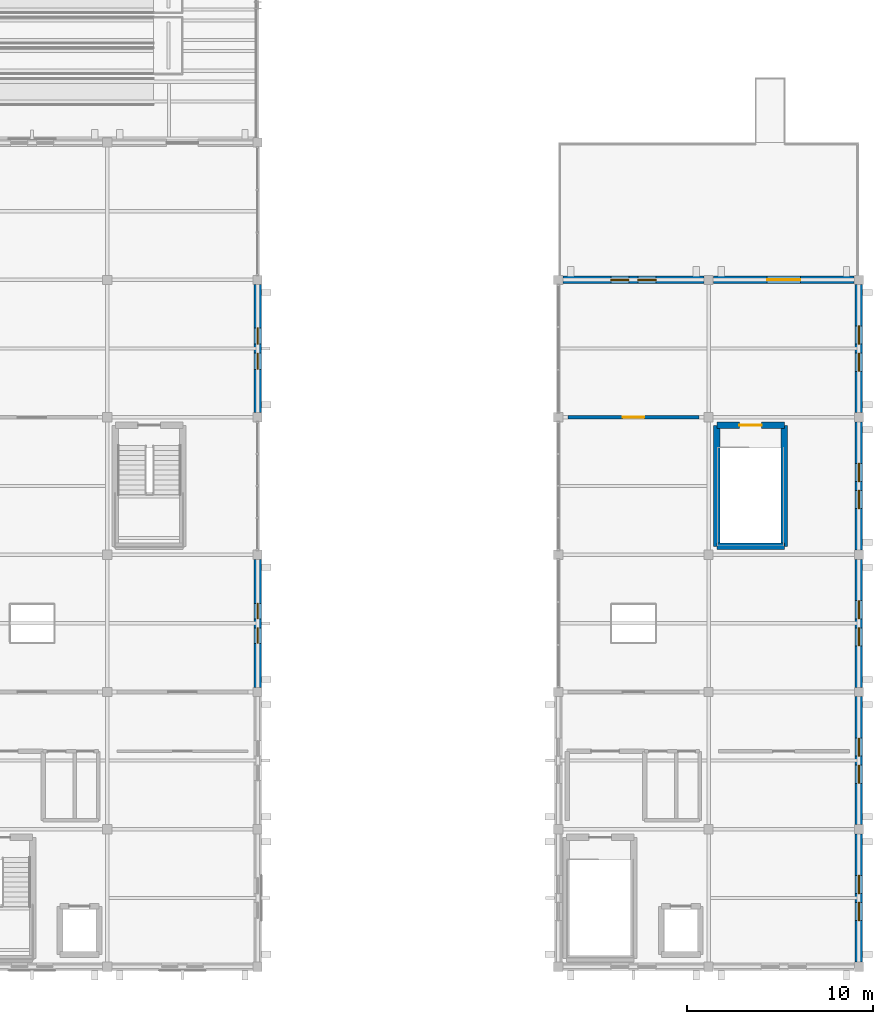
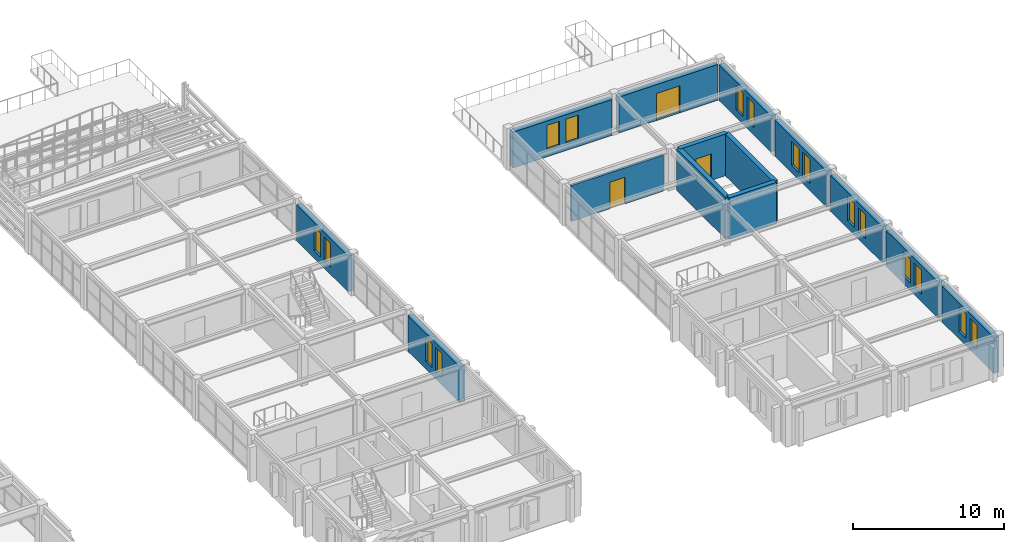
# One storey, part 85 of 93: 16 windows, 14 walls, 3 doors, 19 openings.
"""IFC4 building model written with IfcOpenShell, lengths in metres."""

from ifc_helpers import new_model, si_unit, direction, frame, frame_2d, origin, place, context, subcontext, project, spatial, rectangle, extrude, material, layer, layer_set, type_object, element, fill, save


model = new_model("IFC4")

# Units and contexts
model_context = context("Model", 3, precision=1e-05, world=origin(), true_north=direction((0.0, 1.0)))
body_context = subcontext(model_context, "Body", "Model", "MODEL_VIEW")
ifc_project = project(units=[si_unit("LENGTHUNIT", "METRE"), si_unit("AREAUNIT", "SQUARE_METRE"), si_unit("VOLUMEUNIT", "CUBIC_METRE"), si_unit("PLANEANGLEUNIT", "RADIAN"), si_unit("MASSUNIT", "GRAM", prefix="KILO")], contexts=[model_context])

# Site, building, storey
site_placement = place(None, origin())
site = spatial("IfcSite", under=ifc_project, at=site_placement, CompositionType="ELEMENT")
building_placement = place(site_placement, origin())
building = spatial("IfcBuilding", under=site, at=building_placement, Name="Cimatlan Art Gallery", CompositionType="ELEMENT")
storey_placement = place(building_placement, frame((0.0, 0.0, 13.800048828125)))
storey = spatial("IfcBuildingStorey", under=building, at=storey_placement, Name="L03", CompositionType="ELEMENT", Elevation=13.800048828125)

# Walls
ifc_material_1 = material(Name="Concrete C40/50", Category="concrete")
ifc_layer_1 = layer(ifc_material_1, 0.35009765625)
ifc_layer_set_1 = layer_set([ifc_layer_1], Name="Concrete C40/50")
wall_type_1 = type_object("IfcWallType", Name="W-CORE-350", PredefinedType="SHEAR", material=ifc_layer_set_1)
wall_1_placement = place(storey_placement, frame((156.340087890625, 46.5400390625, 0.0), z_axis=(0.0, 0.0, 1.0), x_axis=(0.0, 1.0, 0.0)))
element("IfcWall", 1, at=wall_1_placement, inside=storey, type_object=wall_type_1, Name="WL-CORE-C10-L03-SW", PredefinedType="SHEAR", context=body_context, shape_type="SweptSolid", body=[
    extrude(rectangle(XDim=6.52001953125, YDim=0.35009765625, at=frame_2d((3.260009765625, 0.0))), origin(), (0.0, 0.0, 1.0), 3.375),
])
wall_2_placement = place(storey_placement, frame((156.340087890625, 46.5400390625, 0.0), z_axis=(0.0, 0.0, 1.0), x_axis=(1.0, 0.0, 0.0)))
element("IfcWall", 2, at=wall_2_placement, inside=storey, type_object=wall_type_1, Name="WL-CORE-C10-L03-SS", PredefinedType="SHEAR", context=body_context, shape_type="SweptSolid", body=[
    extrude(rectangle(XDim=3.639892578125, YDim=0.35009765625, at=frame_2d((1.81982421875, 0.0))), origin(), (0.0, 0.0, 1.0), 3.375),
])
wall_3_placement = place(storey_placement, frame((159.97998046875, 46.5400390625, 0.0), z_axis=(0.0, 0.0, 1.0), x_axis=(0.0, 1.0, 0.0)))
element("IfcWall", 3, at=wall_3_placement, inside=storey, type_object=wall_type_1, Name="WL-CORE-C10-L03-SE", PredefinedType="SHEAR", context=body_context, shape_type="SweptSolid", body=[
    extrude(rectangle(XDim=6.52001953125, YDim=0.35009765625, at=frame_2d((3.260009765625, 0.0))), origin(), (0.0, 0.0, 1.0), 3.375),
])

# Wall, opening, door
wall_4_placement = place(storey_placement, frame((156.340087890625, 53.06005859375, 0.0), z_axis=(0.0, 0.0, 1.0), x_axis=(1.0, 0.0, 0.0)))
wall_4 = element("IfcWall", 4, at=wall_4_placement, inside=storey, type_object=wall_type_1, Name="WL-CORE-C10-L03-SN", PredefinedType="SHEAR", context=body_context, shape_type="SweptSolid", body=[
    extrude(rectangle(XDim=3.639892578125, YDim=0.35009765625, at=frame_2d((1.81982421875, 0.0))), origin(), (0.0, 0.0, 1.0), 3.375),
])
opening_1_placement = place(wall_4_placement, frame((1.219970703125, 0.0, 0.0)))
opening_1 = element("IfcOpeningElement", 5, at=opening_1_placement, cuts=wall_4, Name="Opening FD-C10-L03", PredefinedType="OPENING", context=body_context, shape_type="SweptSolid", body=[
    extrude(rectangle(XDim=1.199951171875, YDim=2.14990234375, at=frame_2d((0.60009765625, 1.074951171875))), frame((0.0, 0.18505859375, 0.0), z_axis=(0.0, -1.0, 0.0), x_axis=(1.0, 0.0, 0.0)), (0.0, 0.0, 1.0), 0.3701171875),
])
ifc_material_2 = material(Name="Fire-resisting steel acoustic stair door", Category="steel")
door_type_1 = type_object("IfcDoorType", Name="FD-ST-1200", OperationType="NOTDEFINED", PredefinedType="DOOR", material=ifc_material_2)
door_1_placement = place(opening_1_placement, origin())
door_1 = element("IfcDoor", 6, at=door_1_placement, inside=storey, type_object=door_type_1, Name="DR-C10-L03-ST", OperationType="SINGLE_SWING_RIGHT", OverallHeight=2.14990234375, OverallWidth=1.199951171875, PredefinedType="DOOR", context=body_context, shape_type="SweptSolid", body=[
    extrude(rectangle(XDim=1.199951171875, YDim=2.14990234375, at=frame_2d((0.60009765625, 1.074951171875))), frame((0.0, 0.02490234375, 0.0), z_axis=(0.0, -1.0, 0.0), x_axis=(1.0, 0.0, 0.0)), (0.0, 0.0, 1.0), 0.050048828125),
])
fill(opening_1, door_1)

ifc_material_3 = material(Name="Acoustic gypsum and steel stud partition", Category="steel")
ifc_layer_2 = layer(ifc_material_3, 0.179931640625)
ifc_layer_set_2 = layer_set([ifc_layer_2], Name="Acoustic gypsum and steel stud partition")
wall_type_2 = type_object("IfcWallType", Name="W-STD-180", PredefinedType="PARTITIONING", material=ifc_layer_set_2)
wall_5_placement = place(storey_placement, frame((148.320068359375, 53.5, 0.0), z_axis=(0.0, 0.0, 1.0), x_axis=(1.0, 0.0, 0.0)))
wall_5 = element("IfcWall", 7, at=wall_5_placement, inside=storey, type_object=wall_type_2, Name="WL-RM-L03-STD-03", PredefinedType="PARTITIONING", context=body_context, shape_type="SweptSolid", body=[
    extrude(rectangle(XDim=7.059814453125, YDim=0.179931640625, at=frame_2d((3.52978515625, 0.0))), origin(), (0.0, 0.0, 1.0), 2.912841796875),
])
opening_2_placement = place(wall_5_placement, frame((2.955078125, 0.0, 0.0)))
opening_2 = element("IfcOpeningElement", 8, at=opening_2_placement, cuts=wall_5, Name="Opening DI-0260", PredefinedType="OPENING", context=body_context, shape_type="SweptSolid", body=[
    extrude(rectangle(XDim=1.14990234375, YDim=2.14990234375, at=frame_2d((0.574951171875, 1.074951171875))), frame((0.0, 0.10009765625, 0.0), z_axis=(0.0, -1.0, 0.0), x_axis=(1.0, 0.0, 0.0)), (0.0, 0.0, 1.0), 0.199951171875),
])
ifc_material_4 = material(Name="Solid oak artists' studio door")
door_type_2 = type_object("IfcDoorType", Name="DI-SD-1150", OperationType="NOTDEFINED", PredefinedType="DOOR", material=ifc_material_4)
door_2_placement = place(opening_2_placement, origin())
door_2 = element("IfcDoor", 9, at=door_2_placement, inside=storey, type_object=door_type_2, Name="DR-RM-L03-STD-03", OperationType="SINGLE_SWING_RIGHT", OverallHeight=2.14990234375, OverallWidth=1.14990234375, PredefinedType="DOOR", context=body_context, shape_type="SweptSolid", body=[
    extrude(rectangle(XDim=1.14990234375, YDim=2.14990234375, at=frame_2d((0.574951171875, 1.074951171875))), frame((0.0, 0.02490234375, 0.0), z_axis=(0.0, -1.0, 0.0), x_axis=(1.0, 0.0, 0.0)), (0.0, 0.0, 1.0), 0.050048828125),
])
fill(opening_2, door_2)

# Wall, openings, windows
ifc_material_5 = material(Name="Precast concrete C40/50", Category="concrete")
ifc_layer_3 = layer(ifc_material_5, 0.39990234375)
ifc_layer_set_3 = layer_set([ifc_layer_3], Name="Precast concrete C40/50")
wall_type_3 = type_object("IfcWallType", Name="WL-EXT-CAN-400", PredefinedType="SOLIDWALL", material=ifc_layer_set_3)
wall_6_placement = place(storey_placement, frame((131.60009765625, 45.845947265625, 0.0), z_axis=(0.0, 0.0, 1.0), x_axis=(0.0, -1.0, 0.0)))
wall_6 = element("IfcWall", 10, at=wall_6_placement, inside=storey, type_object=wall_type_3, Name="WL-EXT-L03-15-05-E", PredefinedType="SOLIDWALL", context=body_context, shape_type="SweptSolid", body=[
    extrude(rectangle(XDim=6.891845703125, YDim=0.39990234375, at=frame_2d((3.44580078125, 0.0))), origin(), (0.0, 0.0, 1.0), 2.907958984375),
])
opening_3_placement = place(wall_6_placement, frame((2.365966796875, 0.0, 0.60009765625)))
opening_3 = element("IfcOpeningElement", 11, at=opening_3_placement, cuts=wall_6, Name="Opening WN-0277", PredefinedType="OPENING", context=body_context, shape_type="SweptSolid", body=[
    extrude(rectangle(XDim=0.840087890625, YDim=1.9599609375, at=frame_2d((0.419921875, 0.97998046875))), frame((0.0, 0.2099609375, 0.0), z_axis=(0.0, -1.0, 0.0), x_axis=(1.0, 0.0, 0.0)), (0.0, 0.0, 1.0), 0.419921875),
])
opening_4_placement = place(wall_6_placement, frame((3.68603515625, 0.0, 0.60009765625)))
opening_4 = element("IfcOpeningElement", 12, at=opening_4_placement, cuts=wall_6, Name="Opening WN-0278", PredefinedType="OPENING", context=body_context, shape_type="SweptSolid", body=[
    extrude(rectangle(XDim=0.840087890625, YDim=1.9599609375, at=frame_2d((0.419921875, 0.97998046875))), frame((0.0, 0.2099609375, 0.0), z_axis=(0.0, -1.0, 0.0), x_axis=(1.0, 0.0, 0.0)), (0.0, 0.0, 1.0), 0.419921875),
])
ifc_material_6 = material(Name="Low-E laminated double glazing in bronze lancet frame", Category="glass")
window_type_1 = type_object("IfcWindowType", Name="WIN-E-L03-0840X1960", PartitioningType="SINGLE_PANEL", PredefinedType="WINDOW", material=ifc_material_6)
window_1_placement = place(opening_3_placement, origin())
window_1 = element("IfcWindow", 13, at=window_1_placement, inside=storey, type_object=window_type_1, Name="WIN-0277", OverallHeight=1.9599609375, OverallWidth=0.840087890625, PartitioningType="SINGLE_PANEL", PredefinedType="WINDOW", context=body_context, shape_type="SweptSolid", body=[
    extrude(rectangle(XDim=0.840087890625, YDim=1.9599609375, at=frame_2d((0.419921875, 0.97998046875))), frame((0.0, 0.030029296875, 0.0), z_axis=(0.0, -1.0, 0.0), x_axis=(1.0, 0.0, 0.0)), (0.0, 0.0, 1.0), 0.06005859375),
])
fill(opening_3, window_1)
window_2_placement = place(opening_4_placement, origin())
window_2 = element("IfcWindow", 14, at=window_2_placement, inside=storey, type_object=window_type_1, Name="WIN-0278", OverallHeight=1.9599609375, OverallWidth=0.840087890625, PartitioningType="SINGLE_PANEL", PredefinedType="WINDOW", context=body_context, shape_type="SweptSolid", body=[
    extrude(rectangle(XDim=0.840087890625, YDim=1.9599609375, at=frame_2d((0.419921875, 0.97998046875))), frame((0.0, 0.030029296875, 0.0), z_axis=(0.0, -1.0, 0.0), x_axis=(1.0, 0.0, 0.0)), (0.0, 0.0, 1.0), 0.06005859375),
])
fill(opening_4, window_2)

wall_7_placement = place(storey_placement, frame((131.60009765625, 60.64599609375, 0.0), z_axis=(0.0, 0.0, 1.0), x_axis=(0.0, -1.0, 0.0)))
wall_7 = element("IfcWall", 15, at=wall_7_placement, inside=storey, type_object=wall_type_3, Name="WL-EXT-L03-15-07-E", PredefinedType="SOLIDWALL", context=body_context, shape_type="SweptSolid", body=[
    extrude(rectangle(XDim=6.89208984375, YDim=0.39990234375, at=frame_2d((3.446044921875, 0.0))), origin(), (0.0, 0.0, 1.0), 2.907958984375),
])
opening_5_placement = place(wall_7_placement, frame((2.325927734375, 0.0, 0.60009765625)))
opening_5 = element("IfcOpeningElement", 16, at=opening_5_placement, cuts=wall_7, Name="Opening WN-0279", PredefinedType="OPENING", context=body_context, shape_type="SweptSolid", body=[
    extrude(rectangle(XDim=0.8798828125, YDim=1.93994140625, at=frame_2d((0.43994140625, 0.969970703125))), frame((0.0, 0.2099609375, 0.0), z_axis=(0.0, -1.0, 0.0), x_axis=(1.0, 0.0, 0.0)), (0.0, 0.0, 1.0), 0.419921875),
])
opening_6_placement = place(wall_7_placement, frame((3.68603515625, 0.0, 0.60009765625)))
opening_6 = element("IfcOpeningElement", 17, at=opening_6_placement, cuts=wall_7, Name="Opening WN-0280", PredefinedType="OPENING", context=body_context, shape_type="SweptSolid", body=[
    extrude(rectangle(XDim=0.8798828125, YDim=1.93994140625, at=frame_2d((0.43994140625, 0.969970703125))), frame((0.0, 0.2099609375, 0.0), z_axis=(0.0, -1.0, 0.0), x_axis=(1.0, 0.0, 0.0)), (0.0, 0.0, 1.0), 0.419921875),
])
window_type_2 = type_object("IfcWindowType", Name="WIN-PAV-E3-0880X1940", PartitioningType="SINGLE_PANEL", PredefinedType="WINDOW", material=ifc_material_6)
window_3_placement = place(opening_5_placement, origin())
window_3 = element("IfcWindow", 18, at=window_3_placement, inside=storey, type_object=window_type_2, Name="WIN-0279", OverallHeight=1.93994140625, OverallWidth=0.8798828125, PartitioningType="SINGLE_PANEL", PredefinedType="WINDOW", context=body_context, shape_type="SweptSolid", body=[
    extrude(rectangle(XDim=0.8798828125, YDim=1.93994140625, at=frame_2d((0.43994140625, 0.969970703125))), frame((0.0, 0.030029296875, 0.0), z_axis=(0.0, -1.0, 0.0), x_axis=(1.0, 0.0, 0.0)), (0.0, 0.0, 1.0), 0.06005859375),
])
fill(opening_5, window_3)
window_4_placement = place(opening_6_placement, origin())
window_4 = element("IfcWindow", 19, at=window_4_placement, inside=storey, type_object=window_type_2, Name="WIN-0280", OverallHeight=1.93994140625, OverallWidth=0.8798828125, PartitioningType="SINGLE_PANEL", PredefinedType="WINDOW", context=body_context, shape_type="SweptSolid", body=[
    extrude(rectangle(XDim=0.8798828125, YDim=1.93994140625, at=frame_2d((0.43994140625, 0.969970703125))), frame((0.0, 0.030029296875, 0.0), z_axis=(0.0, -1.0, 0.0), x_axis=(1.0, 0.0, 0.0)), (0.0, 0.0, 1.0), 0.06005859375),
])
fill(opening_6, window_4)

wall_8_placement = place(storey_placement, frame((148.053955078125, 60.89990234375, 0.0), z_axis=(0.0, 0.0, 1.0), x_axis=(1.0, 0.0, 0.0)))
wall_8 = element("IfcWall", 20, at=wall_8_placement, inside=storey, type_object=wall_type_3, Name="WL-EXT-L03-18-07-N", PredefinedType="SOLIDWALL", context=body_context, shape_type="SweptSolid", body=[
    extrude(rectangle(XDim=7.592041015625, YDim=0.39990234375, at=frame_2d((3.7958984375, 0.0))), origin(), (0.0, 0.0, 1.0), 2.907958984375),
])
opening_7_placement = place(wall_8_placement, frame((2.575927734375, 0.0, 0.60009765625)))
opening_7 = element("IfcOpeningElement", 21, at=opening_7_placement, cuts=wall_8, Name="Opening WN-0287", PredefinedType="OPENING", context=body_context, shape_type="SweptSolid", body=[
    extrude(rectangle(XDim=0.97998046875, YDim=1.949951171875, at=frame_2d((0.489990234375, 0.97509765625))), frame((0.0, 0.2099609375, 0.0), z_axis=(0.0, -1.0, 0.0), x_axis=(1.0, 0.0, 0.0)), (0.0, 0.0, 1.0), 0.419921875),
])
opening_8_placement = place(wall_8_placement, frame((4.035888671875, 0.0, 0.60009765625)))
opening_8 = element("IfcOpeningElement", 22, at=opening_8_placement, cuts=wall_8, Name="Opening WN-0288", PredefinedType="OPENING", context=body_context, shape_type="SweptSolid", body=[
    extrude(rectangle(XDim=0.97998046875, YDim=1.949951171875, at=frame_2d((0.489990234375, 0.97509765625))), frame((0.0, 0.2099609375, 0.0), z_axis=(0.0, -1.0, 0.0), x_axis=(1.0, 0.0, 0.0)), (0.0, 0.0, 1.0), 0.419921875),
])
window_type_3 = type_object("IfcWindowType", Name="WIN-STD-L03-0980X1950", PartitioningType="SINGLE_PANEL", PredefinedType="WINDOW", material=ifc_material_6)
window_5_placement = place(opening_7_placement, origin())
window_5 = element("IfcWindow", 23, at=window_5_placement, inside=storey, type_object=window_type_3, Name="WIN-0287", OverallHeight=1.949951171875, OverallWidth=0.97998046875, PartitioningType="SINGLE_PANEL", PredefinedType="WINDOW", context=body_context, shape_type="SweptSolid", body=[
    extrude(rectangle(XDim=0.97998046875, YDim=1.949951171875, at=frame_2d((0.489990234375, 0.97509765625))), frame((0.0, 0.030029296875, 0.0), z_axis=(0.0, -1.0, 0.0), x_axis=(1.0, 0.0, 0.0)), (0.0, 0.0, 1.0), 0.06005859375),
])
fill(opening_7, window_5)
window_6_placement = place(opening_8_placement, origin())
window_6 = element("IfcWindow", 24, at=window_6_placement, inside=storey, type_object=window_type_3, Name="WIN-0288", OverallHeight=1.949951171875, OverallWidth=0.97998046875, PartitioningType="SINGLE_PANEL", PredefinedType="WINDOW", context=body_context, shape_type="SweptSolid", body=[
    extrude(rectangle(XDim=0.97998046875, YDim=1.949951171875, at=frame_2d((0.489990234375, 0.97509765625))), frame((0.0, 0.030029296875, 0.0), z_axis=(0.0, -1.0, 0.0), x_axis=(1.0, 0.0, 0.0)), (0.0, 0.0, 1.0), 0.06005859375),
])
fill(opening_8, window_6)

wall_9_placement = place(storey_placement, frame((164.0, 31.0458984375, 0.0), z_axis=(0.0, 0.0, 1.0), x_axis=(0.0, -1.0, 0.0)))
wall_9 = element("IfcWall", 25, at=wall_9_placement, inside=storey, type_object=wall_type_3, Name="WL-EXT-L03-19-03-E", PredefinedType="SOLIDWALL", context=body_context, shape_type="SweptSolid", body=[
    extrude(rectangle(XDim=6.891845703125, YDim=0.39990234375, at=frame_2d((3.44580078125, 0.0))), origin(), (0.0, 0.0, 1.0), 2.907958984375),
])
opening_9_placement = place(wall_9_placement, frame((2.22607421875, 0.0, 0.60009765625)))
opening_9 = element("IfcOpeningElement", 26, at=opening_9_placement, cuts=wall_9, Name="Opening WN-0291", PredefinedType="OPENING", context=body_context, shape_type="SweptSolid", body=[
    extrude(rectangle(XDim=0.97998046875, YDim=1.949951171875, at=frame_2d((0.489990234375, 0.97509765625))), frame((0.0, 0.2099609375, 0.0), z_axis=(0.0, -1.0, 0.0), x_axis=(1.0, 0.0, 0.0)), (0.0, 0.0, 1.0), 0.419921875),
])
opening_10_placement = place(wall_9_placement, frame((3.68603515625, 0.0, 0.60009765625)))
opening_10 = element("IfcOpeningElement", 27, at=opening_10_placement, cuts=wall_9, Name="Opening WN-0292", PredefinedType="OPENING", context=body_context, shape_type="SweptSolid", body=[
    extrude(rectangle(XDim=0.97998046875, YDim=1.949951171875, at=frame_2d((0.489990234375, 0.97509765625))), frame((0.0, 0.2099609375, 0.0), z_axis=(0.0, -1.0, 0.0), x_axis=(1.0, 0.0, 0.0)), (0.0, 0.0, 1.0), 0.419921875),
])
window_7_placement = place(opening_9_placement, origin())
window_7 = element("IfcWindow", 28, at=window_7_placement, inside=storey, type_object=window_type_3, Name="WIN-0291", OverallHeight=1.949951171875, OverallWidth=0.97998046875, PartitioningType="SINGLE_PANEL", PredefinedType="WINDOW", context=body_context, shape_type="SweptSolid", body=[
    extrude(rectangle(XDim=0.97998046875, YDim=1.949951171875, at=frame_2d((0.489990234375, 0.97509765625))), frame((0.0, 0.030029296875, 0.0), z_axis=(0.0, -1.0, 0.0), x_axis=(1.0, 0.0, 0.0)), (0.0, 0.0, 1.0), 0.06005859375),
])
fill(opening_9, window_7)
window_8_placement = place(opening_10_placement, origin())
window_8 = element("IfcWindow", 29, at=window_8_placement, inside=storey, type_object=window_type_3, Name="WIN-0292", OverallHeight=1.949951171875, OverallWidth=0.97998046875, PartitioningType="SINGLE_PANEL", PredefinedType="WINDOW", context=body_context, shape_type="SweptSolid", body=[
    extrude(rectangle(XDim=0.97998046875, YDim=1.949951171875, at=frame_2d((0.489990234375, 0.97509765625))), frame((0.0, 0.030029296875, 0.0), z_axis=(0.0, -1.0, 0.0), x_axis=(1.0, 0.0, 0.0)), (0.0, 0.0, 1.0), 0.06005859375),
])
fill(opening_10, window_8)

wall_10_placement = place(storey_placement, frame((164.0, 38.446044921875, 0.0), z_axis=(0.0, 0.0, 1.0), x_axis=(0.0, -1.0, 0.0)))
wall_10 = element("IfcWall", 30, at=wall_10_placement, inside=storey, type_object=wall_type_3, Name="WL-EXT-L03-19-04-E", PredefinedType="SOLIDWALL", context=body_context, shape_type="SweptSolid", body=[
    extrude(rectangle(XDim=6.89208984375, YDim=0.39990234375, at=frame_2d((3.446044921875, 0.0))), origin(), (0.0, 0.0, 1.0), 2.907958984375),
])
opening_11_placement = place(wall_10_placement, frame((2.22607421875, 0.0, 0.60009765625)))
opening_11 = element("IfcOpeningElement", 31, at=opening_11_placement, cuts=wall_10, Name="Opening WN-0293", PredefinedType="OPENING", context=body_context, shape_type="SweptSolid", body=[
    extrude(rectangle(XDim=0.97998046875, YDim=1.949951171875, at=frame_2d((0.489990234375, 0.97509765625))), frame((0.0, 0.2099609375, 0.0), z_axis=(0.0, -1.0, 0.0), x_axis=(1.0, 0.0, 0.0)), (0.0, 0.0, 1.0), 0.419921875),
])
opening_12_placement = place(wall_10_placement, frame((3.68603515625, 0.0, 0.60009765625)))
opening_12 = element("IfcOpeningElement", 32, at=opening_12_placement, cuts=wall_10, Name="Opening WN-0294", PredefinedType="OPENING", context=body_context, shape_type="SweptSolid", body=[
    extrude(rectangle(XDim=0.97998046875, YDim=1.949951171875, at=frame_2d((0.489990234375, 0.97509765625))), frame((0.0, 0.2099609375, 0.0), z_axis=(0.0, -1.0, 0.0), x_axis=(1.0, 0.0, 0.0)), (0.0, 0.0, 1.0), 0.419921875),
])
window_9_placement = place(opening_11_placement, origin())
window_9 = element("IfcWindow", 33, at=window_9_placement, inside=storey, type_object=window_type_3, Name="WIN-0293", OverallHeight=1.949951171875, OverallWidth=0.97998046875, PartitioningType="SINGLE_PANEL", PredefinedType="WINDOW", context=body_context, shape_type="SweptSolid", body=[
    extrude(rectangle(XDim=0.97998046875, YDim=1.949951171875, at=frame_2d((0.489990234375, 0.97509765625))), frame((0.0, 0.030029296875, 0.0), z_axis=(0.0, -1.0, 0.0), x_axis=(1.0, 0.0, 0.0)), (0.0, 0.0, 1.0), 0.06005859375),
])
fill(opening_11, window_9)
window_10_placement = place(opening_12_placement, origin())
window_10 = element("IfcWindow", 34, at=window_10_placement, inside=storey, type_object=window_type_3, Name="WIN-0294", OverallHeight=1.949951171875, OverallWidth=0.97998046875, PartitioningType="SINGLE_PANEL", PredefinedType="WINDOW", context=body_context, shape_type="SweptSolid", body=[
    extrude(rectangle(XDim=0.97998046875, YDim=1.949951171875, at=frame_2d((0.489990234375, 0.97509765625))), frame((0.0, 0.030029296875, 0.0), z_axis=(0.0, -1.0, 0.0), x_axis=(1.0, 0.0, 0.0)), (0.0, 0.0, 1.0), 0.06005859375),
])
fill(opening_12, window_10)

wall_11_placement = place(storey_placement, frame((164.0, 45.845947265625, 0.0), z_axis=(0.0, 0.0, 1.0), x_axis=(0.0, -1.0, 0.0)))
wall_11 = element("IfcWall", 35, at=wall_11_placement, inside=storey, type_object=wall_type_3, Name="WL-EXT-L03-19-05-E", PredefinedType="SOLIDWALL", context=body_context, shape_type="SweptSolid", body=[
    extrude(rectangle(XDim=6.891845703125, YDim=0.39990234375, at=frame_2d((3.44580078125, 0.0))), origin(), (0.0, 0.0, 1.0), 2.907958984375),
])
opening_13_placement = place(wall_11_placement, frame((2.22607421875, 0.0, 0.60009765625)))
opening_13 = element("IfcOpeningElement", 36, at=opening_13_placement, cuts=wall_11, Name="Opening WN-0295", PredefinedType="OPENING", context=body_context, shape_type="SweptSolid", body=[
    extrude(rectangle(XDim=0.97998046875, YDim=1.949951171875, at=frame_2d((0.489990234375, 0.97509765625))), frame((0.0, 0.2099609375, 0.0), z_axis=(0.0, -1.0, 0.0), x_axis=(1.0, 0.0, 0.0)), (0.0, 0.0, 1.0), 0.419921875),
])
opening_14_placement = place(wall_11_placement, frame((3.68603515625, 0.0, 0.60009765625)))
opening_14 = element("IfcOpeningElement", 37, at=opening_14_placement, cuts=wall_11, Name="Opening WN-0296", PredefinedType="OPENING", context=body_context, shape_type="SweptSolid", body=[
    extrude(rectangle(XDim=0.97998046875, YDim=1.949951171875, at=frame_2d((0.489990234375, 0.97509765625))), frame((0.0, 0.2099609375, 0.0), z_axis=(0.0, -1.0, 0.0), x_axis=(1.0, 0.0, 0.0)), (0.0, 0.0, 1.0), 0.419921875),
])
window_11_placement = place(opening_13_placement, origin())
window_11 = element("IfcWindow", 38, at=window_11_placement, inside=storey, type_object=window_type_3, Name="WIN-0295", OverallHeight=1.949951171875, OverallWidth=0.97998046875, PartitioningType="SINGLE_PANEL", PredefinedType="WINDOW", context=body_context, shape_type="SweptSolid", body=[
    extrude(rectangle(XDim=0.97998046875, YDim=1.949951171875, at=frame_2d((0.489990234375, 0.97509765625))), frame((0.0, 0.030029296875, 0.0), z_axis=(0.0, -1.0, 0.0), x_axis=(1.0, 0.0, 0.0)), (0.0, 0.0, 1.0), 0.06005859375),
])
fill(opening_13, window_11)
window_12_placement = place(opening_14_placement, origin())
window_12 = element("IfcWindow", 39, at=window_12_placement, inside=storey, type_object=window_type_3, Name="WIN-0296", OverallHeight=1.949951171875, OverallWidth=0.97998046875, PartitioningType="SINGLE_PANEL", PredefinedType="WINDOW", context=body_context, shape_type="SweptSolid", body=[
    extrude(rectangle(XDim=0.97998046875, YDim=1.949951171875, at=frame_2d((0.489990234375, 0.97509765625))), frame((0.0, 0.030029296875, 0.0), z_axis=(0.0, -1.0, 0.0), x_axis=(1.0, 0.0, 0.0)), (0.0, 0.0, 1.0), 0.06005859375),
])
fill(opening_14, window_12)

wall_12_placement = place(storey_placement, frame((164.0, 53.24609375, 0.0), z_axis=(0.0, 0.0, 1.0), x_axis=(0.0, -1.0, 0.0)))
wall_12 = element("IfcWall", 40, at=wall_12_placement, inside=storey, type_object=wall_type_3, Name="WL-EXT-L03-19-06-E", PredefinedType="SOLIDWALL", context=body_context, shape_type="SweptSolid", body=[
    extrude(rectangle(XDim=6.89208984375, YDim=0.39990234375, at=frame_2d((3.446044921875, 0.0))), origin(), (0.0, 0.0, 1.0), 2.907958984375),
])
opening_15_placement = place(wall_12_placement, frame((2.22607421875, 0.0, 0.60009765625)))
opening_15 = element("IfcOpeningElement", 41, at=opening_15_placement, cuts=wall_12, Name="Opening WN-0297", PredefinedType="OPENING", context=body_context, shape_type="SweptSolid", body=[
    extrude(rectangle(XDim=0.97998046875, YDim=1.949951171875, at=frame_2d((0.489990234375, 0.97509765625))), frame((0.0, 0.2099609375, 0.0), z_axis=(0.0, -1.0, 0.0), x_axis=(1.0, 0.0, 0.0)), (0.0, 0.0, 1.0), 0.419921875),
])
opening_16_placement = place(wall_12_placement, frame((3.68603515625, 0.0, 0.60009765625)))
opening_16 = element("IfcOpeningElement", 42, at=opening_16_placement, cuts=wall_12, Name="Opening WN-0298", PredefinedType="OPENING", context=body_context, shape_type="SweptSolid", body=[
    extrude(rectangle(XDim=0.97998046875, YDim=1.949951171875, at=frame_2d((0.489990234375, 0.97509765625))), frame((0.0, 0.2099609375, 0.0), z_axis=(0.0, -1.0, 0.0), x_axis=(1.0, 0.0, 0.0)), (0.0, 0.0, 1.0), 0.419921875),
])
window_13_placement = place(opening_15_placement, origin())
window_13 = element("IfcWindow", 43, at=window_13_placement, inside=storey, type_object=window_type_3, Name="WIN-0297", OverallHeight=1.949951171875, OverallWidth=0.97998046875, PartitioningType="SINGLE_PANEL", PredefinedType="WINDOW", context=body_context, shape_type="SweptSolid", body=[
    extrude(rectangle(XDim=0.97998046875, YDim=1.949951171875, at=frame_2d((0.489990234375, 0.97509765625))), frame((0.0, 0.030029296875, 0.0), z_axis=(0.0, -1.0, 0.0), x_axis=(1.0, 0.0, 0.0)), (0.0, 0.0, 1.0), 0.06005859375),
])
fill(opening_15, window_13)
window_14_placement = place(opening_16_placement, origin())
window_14 = element("IfcWindow", 44, at=window_14_placement, inside=storey, type_object=window_type_3, Name="WIN-0298", OverallHeight=1.949951171875, OverallWidth=0.97998046875, PartitioningType="SINGLE_PANEL", PredefinedType="WINDOW", context=body_context, shape_type="SweptSolid", body=[
    extrude(rectangle(XDim=0.97998046875, YDim=1.949951171875, at=frame_2d((0.489990234375, 0.97509765625))), frame((0.0, 0.030029296875, 0.0), z_axis=(0.0, -1.0, 0.0), x_axis=(1.0, 0.0, 0.0)), (0.0, 0.0, 1.0), 0.06005859375),
])
fill(opening_16, window_14)

# Wall, opening, door
wall_13_placement = place(storey_placement, frame((156.154052734375, 60.89990234375, 0.0), z_axis=(0.0, 0.0, 1.0), x_axis=(1.0, 0.0, 0.0)))
wall_13 = element("IfcWall", 45, at=wall_13_placement, inside=storey, type_object=wall_type_3, Name="WL-EXT-L03-19-07-N", PredefinedType="SOLIDWALL", context=body_context, shape_type="SweptSolid", body=[
    extrude(rectangle(XDim=7.592041015625, YDim=0.39990234375, at=frame_2d((3.7958984375, 0.0))), origin(), (0.0, 0.0, 1.0), 2.907958984375),
])
opening_17_placement = place(wall_13_placement, frame((2.89599609375, 0.0, 0.0)))
opening_17 = element("IfcOpeningElement", 46, at=opening_17_placement, cuts=wall_13, Name="Opening D-L03-T15", PredefinedType="OPENING", context=body_context, shape_type="SweptSolid", body=[
    extrude(rectangle(XDim=1.800048828125, YDim=2.199951171875, at=frame_2d((0.89990234375, 1.10009765625))), frame((0.0, 0.2099609375, 0.0), z_axis=(0.0, -1.0, 0.0), x_axis=(1.0, 0.0, 0.0)), (0.0, 0.0, 1.0), 0.419921875),
])
ifc_material_7 = material(Name="Anodised bronze and laminated safety glass door", Category="glass")
door_type_3 = type_object("IfcDoorType", Name="DE-TR-1800", OperationType="NOTDEFINED", PredefinedType="DOOR", material=ifc_material_7)
door_3_placement = place(opening_17_placement, origin())
door_3 = element("IfcDoor", 47, at=door_3_placement, inside=storey, type_object=door_type_3, Name="D-L03-T15", OperationType="SINGLE_SWING_LEFT", OverallHeight=2.199951171875, OverallWidth=1.800048828125, PredefinedType="DOOR", context=body_context, shape_type="SweptSolid", body=[
    extrude(rectangle(XDim=1.800048828125, YDim=2.199951171875, at=frame_2d((0.89990234375, 1.10009765625))), frame((0.0, 0.02490234375, 0.0), z_axis=(0.0, -1.0, 0.0), x_axis=(1.0, 0.0, 0.0)), (0.0, 0.0, 1.0), 0.050048828125),
])
fill(opening_17, door_3)

# Wall, openings, windows
wall_14_placement = place(storey_placement, frame((164.0, 60.64599609375, 0.0), z_axis=(0.0, 0.0, 1.0), x_axis=(0.0, -1.0, 0.0)))
wall_14 = element("IfcWall", 48, at=wall_14_placement, inside=storey, type_object=wall_type_3, Name="WL-EXT-L03-19-07-E", PredefinedType="SOLIDWALL", context=body_context, shape_type="SweptSolid", body=[
    extrude(rectangle(XDim=6.89208984375, YDim=0.39990234375, at=frame_2d((3.446044921875, 0.0))), origin(), (0.0, 0.0, 1.0), 2.907958984375),
])
opening_18_placement = place(wall_14_placement, frame((2.22607421875, 0.0, 0.60009765625)))
opening_18 = element("IfcOpeningElement", 49, at=opening_18_placement, cuts=wall_14, Name="Opening WN-0299", PredefinedType="OPENING", context=body_context, shape_type="SweptSolid", body=[
    extrude(rectangle(XDim=0.97998046875, YDim=1.949951171875, at=frame_2d((0.489990234375, 0.97509765625))), frame((0.0, 0.2099609375, 0.0), z_axis=(0.0, -1.0, 0.0), x_axis=(1.0, 0.0, 0.0)), (0.0, 0.0, 1.0), 0.419921875),
])
opening_19_placement = place(wall_14_placement, frame((3.68603515625, 0.0, 0.60009765625)))
opening_19 = element("IfcOpeningElement", 50, at=opening_19_placement, cuts=wall_14, Name="Opening WN-0300", PredefinedType="OPENING", context=body_context, shape_type="SweptSolid", body=[
    extrude(rectangle(XDim=0.97998046875, YDim=1.949951171875, at=frame_2d((0.489990234375, 0.97509765625))), frame((0.0, 0.2099609375, 0.0), z_axis=(0.0, -1.0, 0.0), x_axis=(1.0, 0.0, 0.0)), (0.0, 0.0, 1.0), 0.419921875),
])
window_15_placement = place(opening_18_placement, origin())
window_15 = element("IfcWindow", 51, at=window_15_placement, inside=storey, type_object=window_type_3, Name="WIN-0299", OverallHeight=1.949951171875, OverallWidth=0.97998046875, PartitioningType="SINGLE_PANEL", PredefinedType="WINDOW", context=body_context, shape_type="SweptSolid", body=[
    extrude(rectangle(XDim=0.97998046875, YDim=1.949951171875, at=frame_2d((0.489990234375, 0.97509765625))), frame((0.0, 0.030029296875, 0.0), z_axis=(0.0, -1.0, 0.0), x_axis=(1.0, 0.0, 0.0)), (0.0, 0.0, 1.0), 0.06005859375),
])
fill(opening_18, window_15)
window_16_placement = place(opening_19_placement, origin())
window_16 = element("IfcWindow", 52, at=window_16_placement, inside=storey, type_object=window_type_3, Name="WIN-0300", OverallHeight=1.949951171875, OverallWidth=0.97998046875, PartitioningType="SINGLE_PANEL", PredefinedType="WINDOW", context=body_context, shape_type="SweptSolid", body=[
    extrude(rectangle(XDim=0.97998046875, YDim=1.949951171875, at=frame_2d((0.489990234375, 0.97509765625))), frame((0.0, 0.030029296875, 0.0), z_axis=(0.0, -1.0, 0.0), x_axis=(1.0, 0.0, 0.0)), (0.0, 0.0, 1.0), 0.06005859375),
])
fill(opening_19, window_16)

save(model, "model.ifc")
